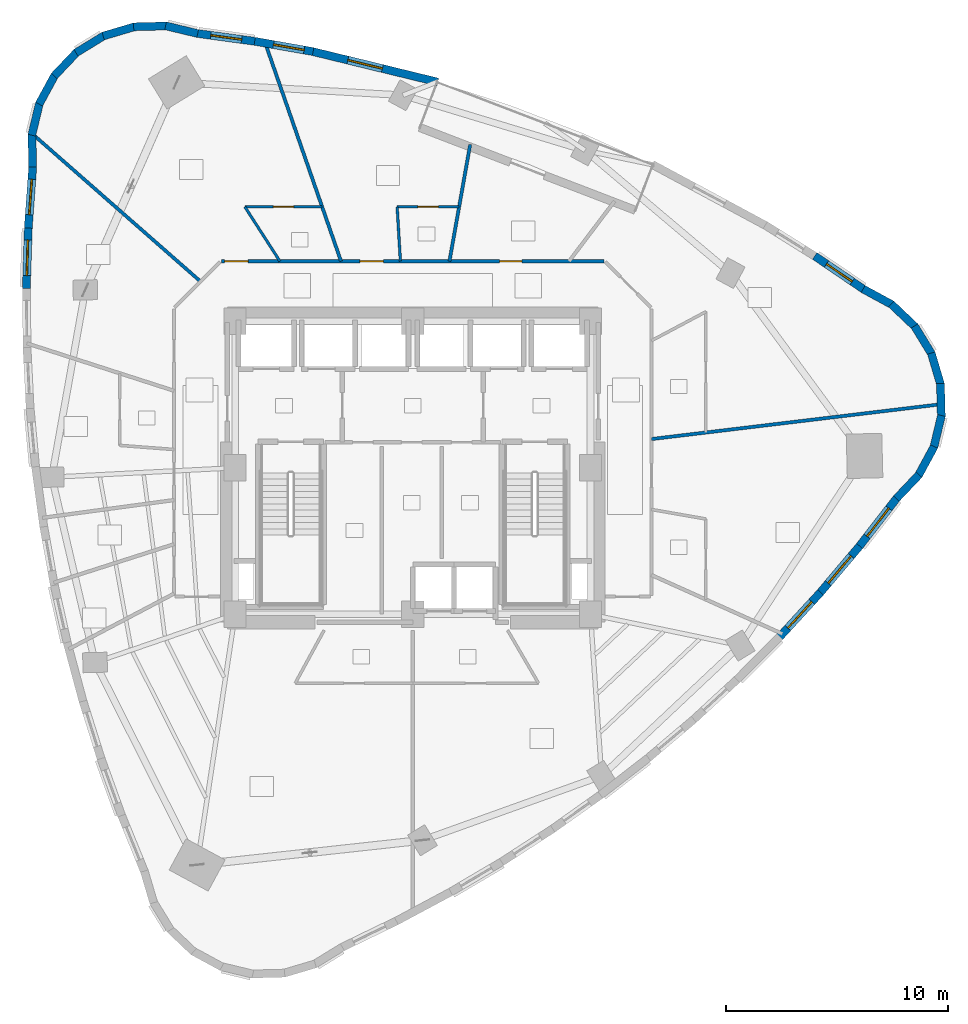
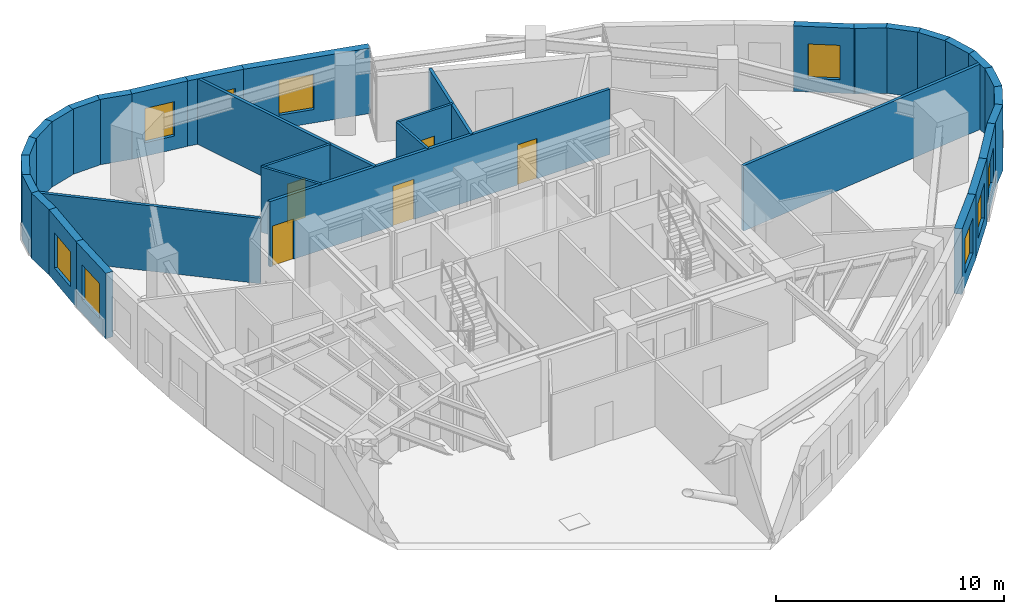
# One storey, part 9 of 13: 34 walls, 9 windows, 5 doors, 14 openings.
"""IFC4 building model written with IfcOpenShell, lengths in metres."""

from ifc_helpers import new_model, si_unit, direction, frame, frame_2d, origin, place, context, subcontext, project, spatial, rectangle, extrude, material, layer, layer_set, type_object, element, fill, save


model = new_model("IFC4")

# Units and contexts
model_context = context("Model", 3, precision=1e-05, world=origin(), true_north=direction((0.0, 1.0)))
body_context = subcontext(model_context, "Body", "Model", "MODEL_VIEW")
ifc_project = project(units=[si_unit("LENGTHUNIT", "METRE"), si_unit("AREAUNIT", "SQUARE_METRE"), si_unit("VOLUMEUNIT", "CUBIC_METRE"), si_unit("PLANEANGLEUNIT", "RADIAN"), si_unit("MASSUNIT", "GRAM", prefix="KILO")], contexts=[model_context])

# Site, building, storey
site_placement = place(None, origin())
site = spatial("IfcSite", under=ifc_project, at=site_placement, CompositionType="ELEMENT")
building_placement = place(site_placement, origin())
building = spatial("IfcBuilding", under=site, at=building_placement, Name="Ndelora Gate Hotel", CompositionType="ELEMENT")
storey_placement = place(building_placement, frame((0.0, 0.0, 157.25)))
storey = spatial("IfcBuildingStorey", under=building, at=storey_placement, Name="L39", CompositionType="ELEMENT", Elevation=157.25)

# Walls
ifc_material_1 = material(Name="Clay Brick Masonry", Category="masonry")
ifc_layer_1 = layer(ifc_material_1, 0.360107421875)
ifc_layer_set_1 = layer_set([ifc_layer_1], Name="Clay Brick Masonry")
wall_type_1 = type_object("IfcWallType", Name="WL-BRICK-360", PredefinedType="SOLIDWALL", material=ifc_layer_set_1)
for number, where, z_axis, x_axis, name in (
    (1, (-11.1298828125, 19.89990234375, 0.0), (0.0, 0.0, 1.0), (0.972361941937, -0.233478594034, 0.0), "L39 Tower Brick Pier-and-Spandrel Wall TWR-1"),
    (2, (-12.56591796875, 19.855712890625, 0.0), (0.0, 0.0, 1.0), (0.999654374037, 0.026289398397, 0.0), "L39 Tower Brick Pier-and-Spandrel Wall TWR-2"),
    (3, (-13.94140625, 19.44140625, 0.0), (0.0, 0.0, 1.0), (0.95879313952, 0.284105113664, 0.0), "L39 Tower Brick Pier-and-Spandrel Wall TWR-3"),
):
    element("IfcWall", number, at=place(storey_placement, frame(where, z_axis=z_axis, x_axis=x_axis)), inside=storey, type_object=wall_type_1, Name=name, PredefinedType="SOLIDWALL", context=body_context, shape_type="SweptSolid", body=[
        extrude(rectangle(XDim=1.48583984375, YDim=0.360107421875, at=frame_2d((0.742919921875, 0.0))), origin(), (0.0, 0.0, 1.0), 3.5),
    ])
wall_1_placement = place(storey_placement, frame((-15.1630859375, 18.685302734375, 0.0), z_axis=(0.0, 0.0, 1.0), x_axis=(0.852672081239, 0.522446477522, 0.0)))
element("IfcWall", 4, at=wall_1_placement, inside=storey, type_object=wall_type_1, Name="L39 Tower Brick Pier-and-Spandrel Wall TWR-4", PredefinedType="SOLIDWALL", context=body_context, shape_type="SweptSolid", body=[
    extrude(rectangle(XDim=1.486083984375, YDim=0.360107421875, at=frame_2d((0.7431640625, 0.0))), origin(), (0.0, 0.0, 1.0), 3.5),
])
wall_2_placement = place(storey_placement, frame((-16.147216796875, 17.638916015625, 0.0), z_axis=(0.0, 0.0, 1.0), x_axis=(0.688377955726, 0.725352183474, 0.0)))
element("IfcWall", 5, at=wall_2_placement, inside=storey, type_object=wall_type_1, Name="L39 Tower Brick Pier-and-Spandrel Wall TWR-5", PredefinedType="SOLIDWALL", context=body_context, shape_type="SweptSolid", body=[
    extrude(rectangle(XDim=1.485595703125, YDim=0.360107421875, at=frame_2d((0.74267578125, 0.0))), origin(), (0.0, 0.0, 1.0), 3.5),
])
for number, where, z_axis, x_axis, name in (
    (6, (-16.826904296875, 16.373046875, 0.0), (0.0, 0.0, 1.0), (0.476997582812, 0.87890460574, 0.0), "L39 Tower Brick Pier-and-Spandrel Wall TWR-6"),
    (7, (-17.156005859375, 14.974609375, 0.0), (0.0, 0.0, 1.0), (0.233323235941, 0.972399232605, 0.0), "L39 Tower Brick Pier-and-Spandrel Wall TWR-7"),
):
    element("IfcWall", number, at=place(storey_placement, frame(where, z_axis=z_axis, x_axis=x_axis)), inside=storey, type_object=wall_type_1, Name=name, PredefinedType="SOLIDWALL", context=body_context, shape_type="SweptSolid", body=[
        extrude(rectangle(XDim=1.48583984375, YDim=0.360107421875, at=frame_2d((0.742919921875, 0.0))), origin(), (0.0, 0.0, 1.0), 3.5),
    ])
wall_3_placement = place(storey_placement, frame((-17.112060546875, 13.538818359375, 0.0), z_axis=(0.0, 0.0, 1.0), x_axis=(-0.026129494011, 0.999658566483, 0.0)))
element("IfcWall", 8, at=wall_3_placement, inside=storey, type_object=wall_type_1, Name="L39 Tower Brick Pier-and-Spandrel Wall TWR-8", PredefinedType="SOLIDWALL", context=body_context, shape_type="SweptSolid", body=[
    extrude(rectangle(XDim=1.485595703125, YDim=0.360107421875, at=frame_2d((0.74267578125, 0.0))), origin(), (0.0, 0.0, 1.0), 3.5),
])

# Wall, opening, window
wall_4_placement = place(storey_placement, frame((-17.314208984375, 10.794921875, 0.0), z_axis=(0.0, 0.0, 1.0), x_axis=(0.072603479606, 0.99736088491, 0.0)))
wall_4 = element("IfcWall", 9, at=wall_4_placement, inside=storey, type_object=wall_type_1, Name="L39 Tower Brick Pier-and-Spandrel Wall TWR-9", PredefinedType="SOLIDWALL", context=body_context, shape_type="SweptSolid", body=[
    extrude(rectangle(XDim=2.801025390625, YDim=0.360107421875, at=frame_2d((1.400390625, 0.0))), origin(), (0.0, 0.0, 1.0), 3.5),
])
opening_1_placement = place(wall_4_placement, frame((0.6005859375, 0.0, 0.719970703125)))
opening_1 = element("IfcOpeningElement", 10, at=opening_1_placement, cuts=wall_4, Name="Opening W03", PredefinedType="OPENING", context=body_context, shape_type="SweptSolid", body=[
    extrude(rectangle(XDim=1.60009765625, YDim=1.8798828125, at=frame_2d((0.800048828125, 0.93994140625))), frame((0.0, 0.18994140625, 0.0), z_axis=(0.0, -1.0, 0.0), x_axis=(1.0, 0.0, 0.0)), (0.0, 0.0, 1.0), 0.380126953125),
])
ifc_material_2 = material(Name="Insulated Low-E Double Glazing in Bronze Aluminium Frame", Category="aluminium")
window_type_1 = type_object("IfcWindowType", Name="WN-CORN-2100", PartitioningType="SINGLE_PANEL", PredefinedType="WINDOW", material=ifc_material_2)
window_1_placement = place(opening_1_placement, origin())
window_1 = element("IfcWindow", 11, at=window_1_placement, inside=storey, type_object=window_type_1, Name="L39 Deep-Set Brick-Pier Window W03", OverallHeight=1.8798828125, OverallWidth=1.60009765625, PartitioningType="SINGLE_PANEL", PredefinedType="WINDOW", context=body_context, shape_type="SweptSolid", body=[
    extrude(rectangle(XDim=1.60009765625, YDim=1.8798828125, at=frame_2d((0.800048828125, 0.93994140625))), frame((0.0, 0.030029296875, 0.0), z_axis=(0.0, -1.0, 0.0), x_axis=(1.0, 0.0, 0.0)), (0.0, 0.0, 1.0), 0.06005859375),
])
fill(opening_1, window_1)

wall_5_placement = place(storey_placement, frame((-17.400146484375, 8.068603515625, 0.0), z_axis=(0.0, 0.0, 1.0), x_axis=(0.031907059623, 0.999490840151, 0.0)))
wall_5 = element("IfcWall", 12, at=wall_5_placement, inside=storey, type_object=wall_type_1, Name="L39 Tower Brick Pier-and-Spandrel Wall TWR-10", PredefinedType="SOLIDWALL", context=body_context, shape_type="SweptSolid", body=[
    extrude(rectangle(XDim=2.777587890625, YDim=0.360107421875, at=frame_2d((1.388671875, 0.0))), origin(), (0.0, 0.0, 1.0), 3.5),
])
opening_2_placement = place(wall_5_placement, frame((0.588623046875, 0.0, 0.719970703125)))
opening_2 = element("IfcOpeningElement", 13, at=opening_2_placement, cuts=wall_5, Name="Opening W01", PredefinedType="OPENING", context=body_context, shape_type="SweptSolid", body=[
    extrude(rectangle(XDim=1.60009765625, YDim=1.8798828125, at=frame_2d((0.800048828125, 0.93994140625))), frame((0.0, 0.18994140625, 0.0), z_axis=(0.0, -1.0, 0.0), x_axis=(1.0, 0.0, 0.0)), (0.0, 0.0, 1.0), 0.380126953125),
])
window_type_2 = type_object("IfcWindowType", Name="WN-DEEP-1600", PartitioningType="SINGLE_PANEL", PredefinedType="WINDOW", material=ifc_material_2)
window_2_placement = place(opening_2_placement, origin())
window_2 = element("IfcWindow", 14, at=window_2_placement, inside=storey, type_object=window_type_2, Name="L39 Deep-Set Brick-Pier Window W01", OverallHeight=1.8798828125, OverallWidth=1.60009765625, PartitioningType="SINGLE_PANEL", PredefinedType="WINDOW", context=body_context, shape_type="SweptSolid", body=[
    extrude(rectangle(XDim=1.60009765625, YDim=1.8798828125, at=frame_2d((0.800048828125, 0.93994140625))), frame((0.0, 0.030029296875, 0.0), z_axis=(0.0, -1.0, 0.0), x_axis=(1.0, 0.0, 0.0)), (0.0, 0.0, 1.0), 0.06005859375),
])
fill(opening_2, window_2)

wall_6_placement = place(storey_placement, frame((18.36279296875, -5.609375, 0.0), z_axis=(0.0, 0.0, 1.0), x_axis=(-0.676049215707, -0.73685647038, 0.0)))
wall_6 = element("IfcWall", 15, at=wall_6_placement, inside=storey, type_object=wall_type_1, Name="L39 Tower Brick Pier-and-Spandrel Wall TWR-38", PredefinedType="SOLIDWALL", context=body_context, shape_type="SweptSolid", body=[
    extrude(rectangle(XDim=2.75830078125, YDim=0.360107421875, at=frame_2d((1.379150390625, 0.0))), origin(), (0.0, 0.0, 1.0), 3.5),
])
opening_3_placement = place(wall_6_placement, frame((0.5791015625, 0.0, 0.719970703125)))
opening_3 = element("IfcOpeningElement", 16, at=opening_3_placement, cuts=wall_6, Name="Opening W01", PredefinedType="OPENING", context=body_context, shape_type="SweptSolid", body=[
    extrude(rectangle(XDim=1.60009765625, YDim=1.8798828125, at=frame_2d((0.800048828125, 0.93994140625))), frame((0.0, 0.18994140625, 0.0), z_axis=(0.0, -1.0, 0.0), x_axis=(1.0, 0.0, 0.0)), (0.0, 0.0, 1.0), 0.380126953125),
])
window_3_placement = place(opening_3_placement, origin())
window_3 = element("IfcWindow", 17, at=window_3_placement, inside=storey, type_object=window_type_2, Name="L39 Deep-Set Brick-Pier Window W01", OverallHeight=1.8798828125, OverallWidth=1.60009765625, PartitioningType="SINGLE_PANEL", PredefinedType="WINDOW", context=body_context, shape_type="SweptSolid", body=[
    extrude(rectangle(XDim=1.60009765625, YDim=1.8798828125, at=frame_2d((0.800048828125, 0.93994140625))), frame((0.0, 0.030029296875, 0.0), z_axis=(0.0, -1.0, 0.0), x_axis=(1.0, 0.0, 0.0)), (0.0, 0.0, 1.0), 0.06005859375),
])
fill(opening_3, window_3)

wall_7_placement = place(storey_placement, frame((20.121337890625, -3.5244140625, 0.0), z_axis=(0.0, 0.0, 1.0), x_axis=(-0.645039410349, -0.764149304192, 0.0)))
wall_7 = element("IfcWall", 18, at=wall_7_placement, inside=storey, type_object=wall_type_1, Name="L39 Tower Brick Pier-and-Spandrel Wall TWR-39", PredefinedType="SOLIDWALL", context=body_context, shape_type="SweptSolid", body=[
    extrude(rectangle(XDim=2.77734375, YDim=0.360107421875, at=frame_2d((1.388671875, 0.0))), origin(), (0.0, 0.0, 1.0), 3.5),
])
opening_4_placement = place(wall_7_placement, frame((0.5888671875, 0.0, 0.719970703125)))
opening_4 = element("IfcOpeningElement", 19, at=opening_4_placement, cuts=wall_7, Name="Opening W01", PredefinedType="OPENING", context=body_context, shape_type="SweptSolid", body=[
    extrude(rectangle(XDim=1.60009765625, YDim=1.8798828125, at=frame_2d((0.800048828125, 0.93994140625))), frame((0.0, 0.18994140625, 0.0), z_axis=(0.0, -1.0, 0.0), x_axis=(1.0, 0.0, 0.0)), (0.0, 0.0, 1.0), 0.380126953125),
])
window_4_placement = place(opening_4_placement, origin())
window_4 = element("IfcWindow", 20, at=window_4_placement, inside=storey, type_object=window_type_2, Name="L39 Deep-Set Brick-Pier Window W01", OverallHeight=1.8798828125, OverallWidth=1.60009765625, PartitioningType="SINGLE_PANEL", PredefinedType="WINDOW", context=body_context, shape_type="SweptSolid", body=[
    extrude(rectangle(XDim=1.60009765625, YDim=1.8798828125, at=frame_2d((0.800048828125, 0.93994140625))), frame((0.0, 0.030029296875, 0.0), z_axis=(0.0, -1.0, 0.0), x_axis=(1.0, 0.0, 0.0)), (0.0, 0.0, 1.0), 0.06005859375),
])
fill(opening_4, window_4)

wall_8_placement = place(storey_placement, frame((21.808349609375, -1.35107421875, 0.0), z_axis=(0.0, 0.0, 1.0), x_axis=(-0.613427584593, -0.789750972434, 0.0)))
wall_8 = element("IfcWall", 21, at=wall_8_placement, inside=storey, type_object=wall_type_1, Name="L39 Tower Brick Pier-and-Spandrel Wall TWR-40", PredefinedType="SOLIDWALL", context=body_context, shape_type="SweptSolid", body=[
    extrude(rectangle(XDim=2.801025390625, YDim=0.360107421875, at=frame_2d((1.400390625, 0.0))), origin(), (0.0, 0.0, 1.0), 3.5),
])
opening_5_placement = place(wall_8_placement, frame((0.6005859375, 0.0, 0.719970703125)))
opening_5 = element("IfcOpeningElement", 22, at=opening_5_placement, cuts=wall_8, Name="Opening W01", PredefinedType="OPENING", context=body_context, shape_type="SweptSolid", body=[
    extrude(rectangle(XDim=1.60009765625, YDim=1.8798828125, at=frame_2d((0.800048828125, 0.93994140625))), frame((0.0, 0.18994140625, 0.0), z_axis=(0.0, -1.0, 0.0), x_axis=(1.0, 0.0, 0.0)), (0.0, 0.0, 1.0), 0.380126953125),
])
window_5_placement = place(opening_5_placement, origin())
window_5 = element("IfcWindow", 23, at=window_5_placement, inside=storey, type_object=window_type_2, Name="L39 Deep-Set Brick-Pier Window W01", OverallHeight=1.8798828125, OverallWidth=1.60009765625, PartitioningType="SINGLE_PANEL", PredefinedType="WINDOW", context=body_context, shape_type="SweptSolid", body=[
    extrude(rectangle(XDim=1.60009765625, YDim=1.8798828125, at=frame_2d((0.800048828125, 0.93994140625))), frame((0.0, 0.030029296875, 0.0), z_axis=(0.0, -1.0, 0.0), x_axis=(1.0, 0.0, 0.0)), (0.0, 0.0, 1.0), 0.06005859375),
])
fill(opening_5, window_5)

# Walls
wall_9_placement = place(storey_placement, frame((22.798583984375, -0.311279296875, 0.0), z_axis=(0.0, 0.0, 1.0), x_axis=(-0.688377955726, -0.725352183474, 0.0)))
element("IfcWall", 24, at=wall_9_placement, inside=storey, type_object=wall_type_1, Name="L39 Tower Brick Pier-and-Spandrel Wall TWR-41", PredefinedType="SOLIDWALL", context=body_context, shape_type="SweptSolid", body=[
    extrude(rectangle(XDim=1.485595703125, YDim=0.360107421875, at=frame_2d((0.74267578125, 0.0))), origin(), (0.0, 0.0, 1.0), 3.5),
])
wall_10_placement = place(storey_placement, frame((23.478515625, 0.95458984375, 0.0), z_axis=(0.0, 0.0, 1.0), x_axis=(-0.477124494484, -0.878835716595, 0.0)))
element("IfcWall", 25, at=wall_10_placement, inside=storey, type_object=wall_type_1, Name="L39 Tower Brick Pier-and-Spandrel Wall TWR-42", PredefinedType="SOLIDWALL", context=body_context, shape_type="SweptSolid", body=[
    extrude(rectangle(XDim=1.48583984375, YDim=0.360107421875, at=frame_2d((0.742919921875, 0.0))), origin(), (0.0, 0.0, 1.0), 3.5),
])
for number, where, z_axis, x_axis, name in (
    (26, (23.8076171875, 2.352783203125, 0.0), (0.0, 0.0, 1.0), (-0.23351590147, -0.972352983109, 0.0), "L39 Tower Brick Pier-and-Spandrel Wall TWR-43"),
    (27, (23.763427734375, 3.788818359375, 0.0), (0.0, 0.0, 1.0), (0.026293717191, -0.99965426045, 0.0), "L39 Tower Brick Pier-and-Spandrel Wall TWR-44"),
):
    element("IfcWall", number, at=place(storey_placement, frame(where, z_axis=z_axis, x_axis=x_axis)), inside=storey, type_object=wall_type_1, Name=name, PredefinedType="SOLIDWALL", context=body_context, shape_type="SweptSolid", body=[
        extrude(rectangle(XDim=1.485595703125, YDim=0.360107421875, at=frame_2d((0.74267578125, 0.0))), origin(), (0.0, 0.0, 1.0), 3.5),
    ])
for number, where, z_axis, x_axis, name in (
    (28, (23.34912109375, 5.16455078125, 0.0), (0.0, 0.0, 1.0), (0.284105113664, -0.95879313952, 0.0), "L39 Tower Brick Pier-and-Spandrel Wall TWR-45"),
    (29, (22.593017578125, 6.385986328125, 0.0), (0.0, 0.0, 1.0), (0.522519673624, -0.852627228439, 0.0), "L39 Tower Brick Pier-and-Spandrel Wall TWR-46"),
):
    element("IfcWall", number, at=place(storey_placement, frame(where, z_axis=z_axis, x_axis=x_axis)), inside=storey, type_object=wall_type_1, Name=name, PredefinedType="SOLIDWALL", context=body_context, shape_type="SweptSolid", body=[
        extrude(rectangle(XDim=1.48583984375, YDim=0.360107421875, at=frame_2d((0.742919921875, 0.0))), origin(), (0.0, 0.0, 1.0), 3.5),
    ])
wall_11_placement = place(storey_placement, frame((21.54638671875, 7.370361328125, 0.0), z_axis=(0.0, 0.0, 1.0), x_axis=(0.725348001868, -0.688382361908, 0.0)))
element("IfcWall", 30, at=wall_11_placement, inside=storey, type_object=wall_type_1, Name="L39 Tower Brick Pier-and-Spandrel Wall TWR-47", PredefinedType="SOLIDWALL", context=body_context, shape_type="SweptSolid", body=[
    extrude(rectangle(XDim=1.486083984375, YDim=0.360107421875, at=frame_2d((0.7431640625, 0.0))), origin(), (0.0, 0.0, 1.0), 3.5),
])
wall_12_placement = place(storey_placement, frame((20.28076171875, 8.050048828125, 0.0), z_axis=(0.0, 0.0, 1.0), x_axis=(0.87890460574, -0.476997582812, 0.0)))
element("IfcWall", 31, at=wall_12_placement, inside=storey, type_object=wall_type_1, Name="L39 Tower Brick Pier-and-Spandrel Wall TWR-48", PredefinedType="SOLIDWALL", context=body_context, shape_type="SweptSolid", body=[
    extrude(rectangle(XDim=1.48583984375, YDim=0.360107421875, at=frame_2d((0.742919921875, 0.0))), origin(), (0.0, 0.0, 1.0), 3.5),
])

# Wall, opening, window
wall_13_placement = place(storey_placement, frame((18.097412109375, 9.537353515625, 0.0), z_axis=(0.0, 0.0, 1.0), x_axis=(0.827020963394, -0.562171082596, 0.0)))
wall_13 = element("IfcWall", 32, at=wall_13_placement, inside=storey, type_object=wall_type_1, Name="L39 Tower Brick Pier-and-Spandrel Wall TWR-49", PredefinedType="SOLIDWALL", context=body_context, shape_type="SweptSolid", body=[
    extrude(rectangle(XDim=2.691650390625, YDim=0.360107421875, at=frame_2d((1.345703125, 0.0))), origin(), (0.0, 0.0, 1.0), 3.5),
])
opening_6_placement = place(wall_13_placement, frame((0.645751953125, 0.0, 0.719970703125)))
opening_6 = element("IfcOpeningElement", 33, at=opening_6_placement, cuts=wall_13, Name="Opening W02", PredefinedType="OPENING", context=body_context, shape_type="SweptSolid", body=[
    extrude(rectangle(XDim=1.39990234375, YDim=1.840087890625, at=frame_2d((0.699951171875, 0.919921875))), frame((0.0, 0.18994140625, 0.0), z_axis=(0.0, -1.0, 0.0), x_axis=(1.0, 0.0, 0.0)), (0.0, 0.0, 1.0), 0.380126953125),
])
window_type_3 = type_object("IfcWindowType", Name="WN-DEEP-1400", PartitioningType="SINGLE_PANEL", PredefinedType="WINDOW", material=ifc_material_2)
window_6_placement = place(opening_6_placement, origin())
window_6 = element("IfcWindow", 34, at=window_6_placement, inside=storey, type_object=window_type_3, Name="L39 Deep-Set Brick-Pier Window W02", OverallHeight=1.840087890625, OverallWidth=1.39990234375, PartitioningType="SINGLE_PANEL", PredefinedType="WINDOW", context=body_context, shape_type="SweptSolid", body=[
    extrude(rectangle(XDim=1.39990234375, YDim=1.840087890625, at=frame_2d((0.699951171875, 0.919921875))), frame((0.0, 0.030029296875, 0.0), z_axis=(0.0, -1.0, 0.0), x_axis=(1.0, 0.0, 0.0)), (0.0, 0.0, 1.0), 0.06005859375),
])
fill(opening_6, window_6)

wall_14_placement = place(storey_placement, frame((-4.536865234375, 18.750244140625, 0.0), z_axis=(0.0, 0.0, 1.0), x_axis=(0.971526219703, -0.236932067122, 0.0)))
wall_14 = element("IfcWall", 35, at=wall_14_placement, inside=storey, type_object=wall_type_1, Name="L39 Tower Brick Pier-and-Spandrel Wall TWR-56", PredefinedType="SOLIDWALL", context=body_context, shape_type="SweptSolid", body=[
    extrude(rectangle(XDim=5.8271484375, YDim=0.360107421875, at=frame_2d((2.91357421875, 0.0))), origin(), (0.0, 0.0, 1.0), 3.5),
])
opening_7_placement = place(wall_14_placement, frame((1.659912109375, 0.0, 0.719970703125)))
opening_7 = element("IfcOpeningElement", 36, at=opening_7_placement, cuts=wall_14, Name="Opening W01", PredefinedType="OPENING", context=body_context, shape_type="SweptSolid", body=[
    extrude(rectangle(XDim=1.60009765625, YDim=1.8798828125, at=frame_2d((0.800048828125, 0.93994140625))), frame((0.0, 0.18994140625, 0.0), z_axis=(0.0, -1.0, 0.0), x_axis=(1.0, 0.0, 0.0)), (0.0, 0.0, 1.0), 0.380126953125),
])
window_7_placement = place(opening_7_placement, origin())
window_7 = element("IfcWindow", 37, at=window_7_placement, inside=storey, type_object=window_type_2, Name="L39 Deep-Set Brick-Pier Window W01", OverallHeight=1.8798828125, OverallWidth=1.60009765625, PartitioningType="SINGLE_PANEL", PredefinedType="WINDOW", context=body_context, shape_type="SweptSolid", body=[
    extrude(rectangle(XDim=1.60009765625, YDim=1.8798828125, at=frame_2d((0.800048828125, 0.93994140625))), frame((0.0, 0.030029296875, 0.0), z_axis=(0.0, -1.0, 0.0), x_axis=(1.0, 0.0, 0.0)), (0.0, 0.0, 1.0), 0.06005859375),
])
fill(opening_7, window_7)

wall_15_placement = place(storey_placement, frame((-7.11669921875, 19.205078125, 0.0), z_axis=(0.0, 0.0, 1.0), x_axis=(0.984708898385, -0.174207879961, 0.0)))
wall_15 = element("IfcWall", 38, at=wall_15_placement, inside=storey, type_object=wall_type_1, Name="L39 Tower Brick Pier-and-Spandrel Wall TWR-57", PredefinedType="SOLIDWALL", context=body_context, shape_type="SweptSolid", body=[
    extrude(rectangle(XDim=2.669677734375, YDim=0.360107421875, at=frame_2d((1.3349609375, 0.0))), origin(), (0.0, 0.0, 1.0), 3.5),
])
opening_8_placement = place(wall_15_placement, frame((0.860107421875, 0.0, 0.719970703125)))
opening_8 = element("IfcOpeningElement", 39, at=opening_8_placement, cuts=wall_15, Name="Opening W02", PredefinedType="OPENING", context=body_context, shape_type="SweptSolid", body=[
    extrude(rectangle(XDim=1.39990234375, YDim=1.840087890625, at=frame_2d((0.699951171875, 0.919921875))), frame((0.0, 0.18994140625, 0.0), z_axis=(0.0, -1.0, 0.0), x_axis=(1.0, 0.0, 0.0)), (0.0, 0.0, 1.0), 0.380126953125),
])
window_8_placement = place(opening_8_placement, origin())
window_8 = element("IfcWindow", 40, at=window_8_placement, inside=storey, type_object=window_type_3, Name="L39 Deep-Set Brick-Pier Window W02", OverallHeight=1.840087890625, OverallWidth=1.39990234375, PartitioningType="SINGLE_PANEL", PredefinedType="WINDOW", context=body_context, shape_type="SweptSolid", body=[
    extrude(rectangle(XDim=1.39990234375, YDim=1.840087890625, at=frame_2d((0.699951171875, 0.919921875))), frame((0.0, 0.030029296875, 0.0), z_axis=(0.0, -1.0, 0.0), x_axis=(1.0, 0.0, 0.0)), (0.0, 0.0, 1.0), 0.06005859375),
])
fill(opening_8, window_8)

wall_16_placement = place(storey_placement, frame((-9.734130859375, 19.562255859375, 0.0), z_axis=(0.0, 0.0, 1.0), x_axis=(0.990763260655, -0.135602954745, 0.0)))
wall_16 = element("IfcWall", 41, at=wall_16_placement, inside=storey, type_object=wall_type_1, Name="L39 Tower Brick Pier-and-Spandrel Wall TWR-58", PredefinedType="SOLIDWALL", context=body_context, shape_type="SweptSolid", body=[
    extrude(rectangle(XDim=2.691650390625, YDim=0.360107421875, at=frame_2d((1.345703125, 0.0))), origin(), (0.0, 0.0, 1.0), 3.5),
])
opening_9_placement = place(wall_16_placement, frame((0.645751953125, 0.0, 0.719970703125)))
opening_9 = element("IfcOpeningElement", 42, at=opening_9_placement, cuts=wall_16, Name="Opening W02", PredefinedType="OPENING", context=body_context, shape_type="SweptSolid", body=[
    extrude(rectangle(XDim=1.39990234375, YDim=1.840087890625, at=frame_2d((0.699951171875, 0.919921875))), frame((0.0, 0.18994140625, 0.0), z_axis=(0.0, -1.0, 0.0), x_axis=(1.0, 0.0, 0.0)), (0.0, 0.0, 1.0), 0.380126953125),
])
window_9_placement = place(opening_9_placement, origin())
window_9 = element("IfcWindow", 43, at=window_9_placement, inside=storey, type_object=window_type_3, Name="L39 Deep-Set Brick-Pier Window W02", OverallHeight=1.840087890625, OverallWidth=1.39990234375, PartitioningType="SINGLE_PANEL", PredefinedType="WINDOW", context=body_context, shape_type="SweptSolid", body=[
    extrude(rectangle(XDim=1.39990234375, YDim=1.840087890625, at=frame_2d((0.699951171875, 0.919921875))), frame((0.0, 0.030029296875, 0.0), z_axis=(0.0, -1.0, 0.0), x_axis=(1.0, 0.0, 0.0)), (0.0, 0.0, 1.0), 0.06005859375),
])
fill(opening_9, window_9)

# Wall, openings, doors
ifc_material_3 = material(Name="Fire-Rated Gypsum Stud Partition", Category="gypsum")
ifc_layer_2 = layer(ifc_material_3, 0.14990234375)
ifc_layer_set_2 = layer_set([ifc_layer_2], Name="Fire-Rated Gypsum Stud Partition")
wall_type_2 = type_object("IfcWallType", Name="WL-PART-150", PredefinedType="PARTITIONING", material=ifc_layer_set_2)
wall_17_placement = place(storey_placement, frame((-8.610107421875, 9.300048828125, 0.0), z_axis=(0.0, 0.0, 1.0), x_axis=(1.0, 0.0, 0.0)))
wall_17 = element("IfcWall", 44, at=wall_17_placement, inside=storey, type_object=wall_type_2, Name="L39 Interior Wall IW-5", PredefinedType="PARTITIONING", context=body_context, shape_type="SweptSolid", body=[
    extrude(rectangle(XDim=17.22021484375, YDim=0.14990234375, at=frame_2d((8.610107421875, 0.0))), origin(), (0.0, 0.0, 1.0), 3.5),
])
opening_10_placement = place(wall_17_placement, frame((12.526611328125, 0.0, 0.0)))
opening_10 = element("IfcOpeningElement", 45, at=opening_10_placement, cuts=wall_17, Name="Opening D01", PredefinedType="OPENING", context=body_context, shape_type="SweptSolid", body=[
    extrude(rectangle(XDim=1.0, YDim=2.14990234375, at=frame_2d((0.5, 1.074951171875))), frame((0.0, 0.0849609375, 0.0), z_axis=(0.0, -1.0, 0.0), x_axis=(1.0, 0.0, 0.0)), (0.0, 0.0, 1.0), 0.169921875),
])
opening_11_placement = place(wall_17_placement, frame((6.231201171875, 0.0, 0.0)))
opening_11 = element("IfcOpeningElement", 46, at=opening_11_placement, cuts=wall_17, Name="Opening D07", PredefinedType="OPENING", context=body_context, shape_type="SweptSolid", body=[
    extrude(rectangle(XDim=1.06005859375, YDim=2.14990234375, at=frame_2d((0.530029296875, 1.074951171875))), frame((0.0, 0.0849609375, 0.0), z_axis=(0.0, -1.0, 0.0), x_axis=(1.0, 0.0, 0.0)), (0.0, 0.0, 1.0), 0.169921875),
])
opening_12_placement = place(wall_17_placement, frame((0.139892578125, 0.0, 0.0)))
opening_12 = element("IfcOpeningElement", 47, at=opening_12_placement, cuts=wall_17, Name="Opening D07", PredefinedType="OPENING", context=body_context, shape_type="SweptSolid", body=[
    extrude(rectangle(XDim=1.06005859375, YDim=2.14990234375, at=frame_2d((0.530029296875, 1.074951171875))), frame((0.0, 0.0849609375, 0.0), z_axis=(0.0, -1.0, 0.0), x_axis=(1.0, 0.0, 0.0)), (0.0, 0.0, 1.0), 0.169921875),
])
ifc_material_4 = material(Name="Acoustic Hardwood Guest Entrance Door", Category="wood")
door_type_1 = type_object("IfcDoorType", Name="DR-COR-1000", OperationType="SINGLE_SWING_LEFT", PredefinedType="DOOR", material=ifc_material_4)
door_1_placement = place(opening_10_placement, origin())
door_1 = element("IfcDoor", 48, at=door_1_placement, inside=storey, type_object=door_type_1, Name="L39 Sky Garden Tea Dining Room Entrance Door", OperationType="SINGLE_SWING_RIGHT", OverallHeight=2.14990234375, OverallWidth=1.0, PredefinedType="DOOR", context=body_context, shape_type="SweptSolid", body=[
    extrude(rectangle(XDim=1.0, YDim=2.14990234375, at=frame_2d((0.5, 1.074951171875))), frame((0.0, 0.02490234375, 0.0), z_axis=(0.0, -1.0, 0.0), x_axis=(1.0, 0.0, 0.0)), (0.0, 0.0, 1.0), 0.050048828125),
])
fill(opening_10, door_1)
ifc_material_5 = material(Name="Diplomatic Suite Acoustic Entrance Door", Category="wood")
door_type_2 = type_object("IfcDoorType", Name="DR-SUITE-1060", OperationType="SINGLE_SWING_LEFT", PredefinedType="DOOR", material=ifc_material_5)
door_2_placement = place(opening_11_placement, origin())
door_2 = element("IfcDoor", 49, at=door_2_placement, inside=storey, type_object=door_type_2, Name="L39 Corner Club Suite 4205 Entrance Door", OperationType="SINGLE_SWING_RIGHT", OverallHeight=2.14990234375, OverallWidth=1.06005859375, PredefinedType="DOOR", context=body_context, shape_type="SweptSolid", body=[
    extrude(rectangle(XDim=1.06005859375, YDim=2.14990234375, at=frame_2d((0.530029296875, 1.074951171875))), frame((0.0, 0.02490234375, 0.0), z_axis=(0.0, -1.0, 0.0), x_axis=(1.0, 0.0, 0.0)), (0.0, 0.0, 1.0), 0.050048828125),
])
fill(opening_11, door_2)
door_3_placement = place(opening_12_placement, origin())
door_3 = element("IfcDoor", 50, at=door_3_placement, inside=storey, type_object=door_type_2, Name="L39 Club Superior Junior Suite 4206 Entrance Door", OperationType="SINGLE_SWING_LEFT", OverallHeight=2.14990234375, OverallWidth=1.06005859375, PredefinedType="DOOR", context=body_context, shape_type="SweptSolid", body=[
    extrude(rectangle(XDim=1.06005859375, YDim=2.14990234375, at=frame_2d((0.530029296875, 1.074951171875))), frame((0.0, 0.02490234375, 0.0), z_axis=(0.0, -1.0, 0.0), x_axis=(1.0, 0.0, 0.0)), (0.0, 0.0, 1.0), 0.050048828125),
])
fill(opening_12, door_3)

# Walls
wall_18_placement = place(storey_placement, frame((10.75, 1.292236328125, 0.0), z_axis=(0.0, 0.0, 1.0), x_axis=(0.992851215359, 0.119358552939, 0.0)))
element("IfcWall", 51, at=wall_18_placement, inside=storey, type_object=wall_type_2, Name="L39 Interior Wall IW-5", PredefinedType="PARTITIONING", context=body_context, shape_type="SweptSolid", body=[
    extrude(rectangle(XDim=13.1318359375, YDim=0.14990234375, at=frame_2d((6.56591796875, 0.0))), origin(), (0.0, 0.0, 1.0), 3.5),
])
wall_19_placement = place(storey_placement, frame((1.652099609375, 9.300048828125, 0.0), z_axis=(0.0, 0.0, 1.0), x_axis=(0.1749308498, 0.984580721824, 0.0)))
element("IfcWall", 52, at=wall_19_placement, inside=storey, type_object=wall_type_2, Name="L39 Interior Wall IW-5", PredefinedType="PARTITIONING", context=body_context, shape_type="SweptSolid", body=[
    extrude(rectangle(XDim=5.3369140625, YDim=0.14990234375, at=frame_2d((2.66845703125, 0.0))), origin(), (0.0, 0.0, 1.0), 3.5),
])
wall_20_placement = place(storey_placement, frame((-3.230224609375, 9.300048828125, 0.0), z_axis=(0.0, 0.0, 1.0), x_axis=(-0.328129858039, 0.944632625026, 0.0)))
element("IfcWall", 53, at=wall_20_placement, inside=storey, type_object=wall_type_2, Name="L39 Interior Wall IW-5", PredefinedType="PARTITIONING", context=body_context, shape_type="SweptSolid", body=[
    extrude(rectangle(XDim=10.396484375, YDim=0.14990234375, at=frame_2d((5.1982421875, 0.0))), origin(), (0.0, 0.0, 1.0), 3.5),
])
wall_21_placement = place(storey_placement, frame((-9.5595703125, 8.390380859375, 0.0), z_axis=(0.0, 0.0, 1.0), x_axis=(-0.751556130323, 0.659669146598, 0.0)))
element("IfcWall", 54, at=wall_21_placement, inside=storey, type_object=wall_type_2, Name="L39 Interior Wall IW-5", PredefinedType="PARTITIONING", context=body_context, shape_type="SweptSolid", body=[
    extrude(rectangle(XDim=10.0859375, YDim=0.14990234375, at=frame_2d((5.04296875, 0.0))), origin(), (0.0, 0.0, 1.0), 3.5),
])
ifc_material_6 = material(Name="Moisture-Resistant Bathroom Tile Partition", Category="gypsum")
ifc_layer_3 = layer(ifc_material_6, 0.1201171875)
ifc_layer_set_3 = layer_set([ifc_layer_3], Name="Moisture-Resistant Bathroom Tile Partition")
wall_type_3 = type_object("IfcWallType", Name="WL-WET-120", PredefinedType="PARTITIONING", material=ifc_layer_set_3)
wall_22_placement = place(storey_placement, frame((-0.556884765625, 9.300048828125, 0.0), z_axis=(0.0, 0.0, 1.0), x_axis=(-0.059684144244, 0.998217312476, 0.0)))
element("IfcWall", 55, at=wall_22_placement, inside=storey, type_object=wall_type_3, Name="L39 Interior Wall IW-7", PredefinedType="PARTITIONING", context=body_context, shape_type="SweptSolid", body=[
    extrude(rectangle(XDim=2.454345703125, YDim=0.1201171875, at=frame_2d((1.22705078125, 0.0))), origin(), (0.0, 0.0, 1.0), 3.5),
])

# Wall, opening, door
wall_23_placement = place(storey_placement, frame((-0.703369140625, 11.75, 0.0), z_axis=(0.0, 0.0, 1.0), x_axis=(1.0, 0.0, 0.0)))
wall_23 = element("IfcWall", 56, at=wall_23_placement, inside=storey, type_object=wall_type_3, Name="L39 Interior Wall IW-7", PredefinedType="PARTITIONING", context=body_context, shape_type="SweptSolid", body=[
    extrude(rectangle(XDim=2.790771484375, YDim=0.1201171875, at=frame_2d((1.3955078125, 0.0))), origin(), (0.0, 0.0, 1.0), 3.5),
])
opening_13_placement = place(wall_23_placement, frame((0.935302734375, 0.0, 0.0)))
opening_13 = element("IfcOpeningElement", 57, at=opening_13_placement, cuts=wall_23, Name="Opening D03", PredefinedType="OPENING", context=body_context, shape_type="SweptSolid", body=[
    extrude(rectangle(XDim=0.919921875, YDim=2.10009765625, at=frame_2d((0.4599609375, 1.050048828125))), frame((0.0, 0.070068359375, 0.0), z_axis=(0.0, -1.0, 0.0), x_axis=(1.0, 0.0, 0.0)), (0.0, 0.0, 1.0), 0.14013671875),
])
ifc_material_7 = material(Name="Moisture-Resistant Hardwood En-Suite Door", Category="wood")
door_type_3 = type_object("IfcDoorType", Name="DR-BATH-920", OperationType="SINGLE_SWING_LEFT", PredefinedType="DOOR", material=ifc_material_7)
door_4_placement = place(opening_13_placement, origin())
door_4 = element("IfcDoor", 58, at=door_4_placement, inside=storey, type_object=door_type_3, Name="L39 En-suite Bathroom 4205 Door", OperationType="SINGLE_SWING_RIGHT", OverallHeight=2.10009765625, OverallWidth=0.919921875, PredefinedType="DOOR", context=body_context, shape_type="SweptSolid", body=[
    extrude(rectangle(XDim=0.919921875, YDim=2.10009765625, at=frame_2d((0.4599609375, 1.050048828125))), frame((0.0, 0.02490234375, 0.0), z_axis=(0.0, -1.0, 0.0), x_axis=(1.0, 0.0, 0.0)), (0.0, 0.0, 1.0), 0.050048828125),
])
fill(opening_13, door_4)

# Wall
wall_24_placement = place(storey_placement, frame((-5.983642578125, 9.300048828125, 0.0), z_axis=(0.0, 0.0, 1.0), x_axis=(-0.541109088666, 0.840952408976, 0.0)))
element("IfcWall", 59, at=wall_24_placement, inside=storey, type_object=wall_type_3, Name="L39 Interior Wall IW-7", PredefinedType="PARTITIONING", context=body_context, shape_type="SweptSolid", body=[
    extrude(rectangle(XDim=2.913330078125, YDim=0.1201171875, at=frame_2d((1.45654296875, 0.0))), origin(), (0.0, 0.0, 1.0), 3.5),
])

# Wall, opening, door
wall_25_placement = place(storey_placement, frame((-7.56005859375, 11.75, 0.0), z_axis=(0.0, 0.0, 1.0), x_axis=(1.0, 0.0, 0.0)))
wall_25 = element("IfcWall", 60, at=wall_25_placement, inside=storey, type_object=wall_type_3, Name="L39 Interior Wall IW-7", PredefinedType="PARTITIONING", context=body_context, shape_type="SweptSolid", body=[
    extrude(rectangle(XDim=3.478759765625, YDim=0.1201171875, at=frame_2d((1.7392578125, 0.0))), origin(), (0.0, 0.0, 1.0), 3.5),
])
opening_14_placement = place(wall_25_placement, frame((1.279296875, 0.0, 0.0)))
opening_14 = element("IfcOpeningElement", 61, at=opening_14_placement, cuts=wall_25, Name="Opening D03", PredefinedType="OPENING", context=body_context, shape_type="SweptSolid", body=[
    extrude(rectangle(XDim=0.919921875, YDim=2.10009765625, at=frame_2d((0.4599609375, 1.050048828125))), frame((0.0, 0.070068359375, 0.0), z_axis=(0.0, -1.0, 0.0), x_axis=(1.0, 0.0, 0.0)), (0.0, 0.0, 1.0), 0.14013671875),
])
door_5_placement = place(opening_14_placement, origin())
door_5 = element("IfcDoor", 62, at=door_5_placement, inside=storey, type_object=door_type_3, Name="L39 En-suite Bathroom 4206 Door", OperationType="SINGLE_SWING_LEFT", OverallHeight=2.10009765625, OverallWidth=0.919921875, PredefinedType="DOOR", context=body_context, shape_type="SweptSolid", body=[
    extrude(rectangle(XDim=0.919921875, YDim=2.10009765625, at=frame_2d((0.4599609375, 1.050048828125))), frame((0.0, 0.02490234375, 0.0), z_axis=(0.0, -1.0, 0.0), x_axis=(1.0, 0.0, 0.0)), (0.0, 0.0, 1.0), 0.050048828125),
])
fill(opening_14, door_5)

save(model, "model.ifc")
